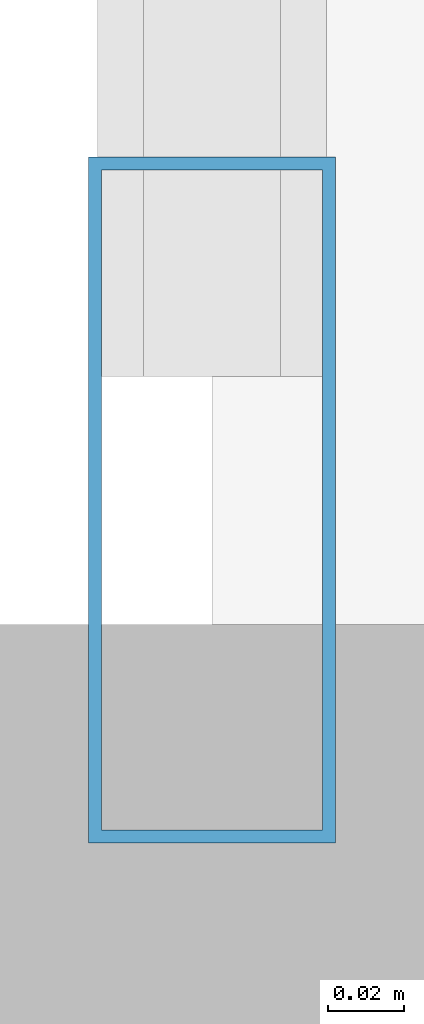
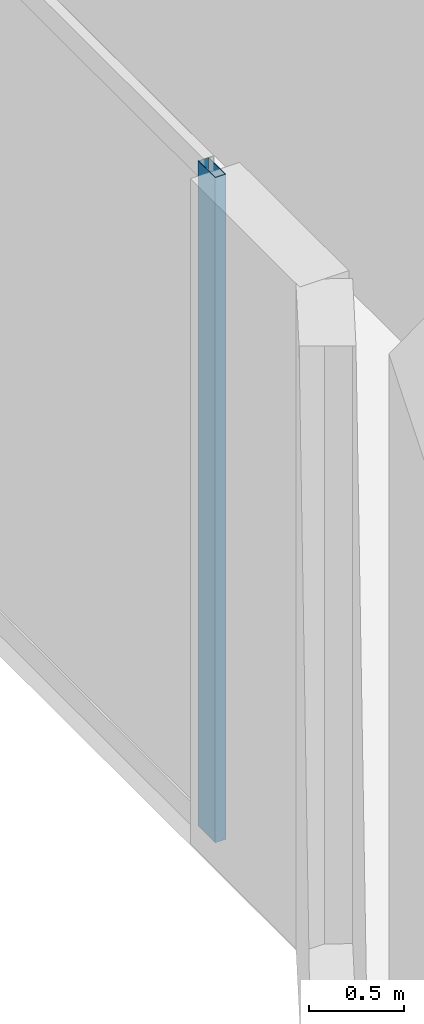
# One storey, part 10 of 33: 1 member, 1 element without a shape of its own.
"""IFC4 building model written with IfcOpenShell, lengths in metres."""

import ifcopenshell
import ifcopenshell.guid

model = None  # the IFC model being written
_history = None  # IfcOwnerHistory: only IFC2X3 demands one
_inside = {}  # id of a spatial element -> (the spatial element, [elements in it])
_under = {}  # id of a project, library or spatial element -> (it, [spatial elements below it])
_declared = {}  # id of a project -> (the project, [libraries it declares])
_typed = {}  # id of a type object -> (the type object, [elements of that type])
_made_of = {}  # id of a material, layer set ... -> (it, [elements and type objects made of it])


def new_model(schema):
    """Start an empty IFC model of exactly this schema.

    Asked for "IFC4X3", IfcOpenShell would pick the latest addendum, in which some entities
    have other attributes; the version numbers below select the first issue.
    IFC2X3 requires an IfcOwnerHistory on every rooted entity: one is made here for all.
    """
    global model, _history
    if schema == "IFC4X3":
        model = ifcopenshell.file(schema_version=(4, 3, 0, 0))
    else:
        model = ifcopenshell.file(schema=schema)
    _inside.clear()
    _under.clear()
    _declared.clear()
    _typed.clear()
    _made_of.clear()
    _history = None
    if model.schema == "IFC2X3":
        org = make("IfcOrganization", Name="unknown")
        user = make(
            "IfcPersonAndOrganization",
            ThePerson=make("IfcPerson", FamilyName="unknown"),
            TheOrganization=org,
        )
        app = make(
            "IfcApplication",
            ApplicationDeveloper=org,
            Version="unknown",
            ApplicationFullName="unknown",
            ApplicationIdentifier="unknown",
        )
        _history = make(
            "IfcOwnerHistory",
            OwningUser=user,
            OwningApplication=app,
            ChangeAction="ADDED",
            CreationDate=0,
        )
    return model


def make(cls, **values):
    """One entity of the class cls with the attributes given. An attribute that is None is left unset."""
    return model.create_entity(
        cls, **{name: value for name, value in values.items() if value is not None}
    )


def rooted(cls, **values):
    """An entity with a GlobalId (a new one), such as an element, a storey or a relation."""
    return make(cls, GlobalId=ifcopenshell.guid.new(), OwnerHistory=_history, **values)


def si_unit(unit_type, name, prefix=None):
    """IfcSIUnit, for example si_unit("LENGTHUNIT", "METRE", prefix="MILLI")."""
    return make("IfcSIUnit", UnitType=unit_type, Prefix=prefix, Name=name)


def assignment(units):
    """IfcUnitAssignment: the units of a project."""
    return None if units is None else make("IfcUnitAssignment", Units=units)


def point(xyz):
    """IfcCartesianPoint."""
    return None if xyz is None else make("IfcCartesianPoint", Coordinates=xyz)


def direction(xyz):
    """IfcDirection."""
    return None if xyz is None else make("IfcDirection", DirectionRatios=xyz)


def frame(location, z_axis=None, x_axis=None):
    """IfcAxis2Placement3D, a coordinate frame: its origin and axes. An axis left out is left unset."""
    return make(
        "IfcAxis2Placement3D",
        Location=point(location),
        Axis=direction(z_axis),
        RefDirection=direction(x_axis),
    )


def frame_2d(location, x_axis=None):
    """IfcAxis2Placement2D, a coordinate frame in the plane: its origin and x axis."""
    return make(
        "IfcAxis2Placement2D", Location=point(location), RefDirection=direction(x_axis)
    )


def origin():
    """The frame at (0, 0, 0) with its axes left unset."""
    return frame((0.0, 0.0, 0.0))


def origin_2d():
    """The frame at (0, 0) in the plane with its x axis left unset."""
    return frame_2d((0.0, 0.0))


def place(relative_to, where):
    """IfcLocalPlacement: puts the frame where relative to a parent placement (None: the world)."""
    return make(
        "IfcLocalPlacement", PlacementRelTo=relative_to, RelativePlacement=where
    )


def context(
    kind, dimensions, precision=None, world=None, true_north=None, identifier=None
):
    """IfcGeometricRepresentationContext, for example the 3D "Model" context."""
    return make(
        "IfcGeometricRepresentationContext",
        ContextIdentifier=identifier,
        ContextType=kind,
        CoordinateSpaceDimension=dimensions,
        Precision=precision,
        WorldCoordinateSystem=world,
        TrueNorth=true_north,
    )


def subcontext(parent, identifier, kind, view, scale=None):
    """IfcGeometricRepresentationSubContext, for example "Body" below "Model"."""
    return make(
        "IfcGeometricRepresentationSubContext",
        ContextIdentifier=identifier,
        ContextType=kind,
        ParentContext=parent,
        TargetScale=scale,
        TargetView=view,
    )


def project(units=None, contexts=None):
    """IfcProject with its units and contexts."""
    return rooted(
        "IfcProject",
        Name="project",
        RepresentationContexts=contexts,
        UnitsInContext=assignment(units),
    )


def spatial(cls, under=None, at=None, **own):
    """A site, building, storey or space (cls), placed at a placement, below another one or the project."""
    s = rooted(cls, ObjectPlacement=at, **own)
    if under is not None:
        _under.setdefault(under.id(), (under, []))[1].append(s)
    return s


def profile(cls, at=None, kind="AREA", **sizes):
    """A parametric profile (cls). Its sizes go by their IFC names, for example OverallWidth=200.0."""
    return make(cls, ProfileType=kind, Position=at, **sizes)


def hollow_rectangle(**sizes):
    """IfcRectangleHollowProfileDef."""
    return profile("IfcRectangleHollowProfileDef", **sizes)


def extrude(swept, where, along, depth):
    """IfcExtrudedAreaSolid: the profile swept, set in the frame where, extruded along a direction by depth."""
    return make(
        "IfcExtrudedAreaSolid",
        SweptArea=swept,
        Position=where,
        ExtrudedDirection=direction(along),
        Depth=depth,
    )


def shape(context_of_items, identifier, shape_type, items):
    """IfcShapeRepresentation: the items that make up one representation, for example the "Body"."""
    return make(
        "IfcShapeRepresentation",
        ContextOfItems=context_of_items,
        RepresentationIdentifier=identifier,
        RepresentationType=shape_type,
        Items=items,
    )


def material(Name=None, Category=None):
    """IfcMaterial."""
    return make("IfcMaterial", Name=Name, Category=Category)


def layer(
    of_material, thickness, ventilated=None, Name=None, Category=None, Priority=None
):
    """IfcMaterialLayer: one layer of a wall or slab, of a material (None: an air gap)."""
    return make(
        "IfcMaterialLayer",
        Material=of_material,
        LayerThickness=thickness,
        IsVentilated=ventilated,
        Name=Name,
        Category=Category,
        Priority=Priority,
    )


def layer_set(layers, Name=None):
    """IfcMaterialLayerSet."""
    return make("IfcMaterialLayerSet", MaterialLayers=layers, LayerSetName=Name)


def material_profile(
    of_material, cross_section, Name=None, Category=None, Priority=None
):
    """IfcMaterialProfile: a cross section and its material."""
    return make(
        "IfcMaterialProfile",
        Name=Name,
        Material=of_material,
        Profile=cross_section,
        Priority=Priority,
        Category=Category,
    )


def profile_set(profiles, Name=None, composite=None):
    """IfcMaterialProfileSet."""
    return make(
        "IfcMaterialProfileSet",
        Name=Name,
        MaterialProfiles=profiles,
        CompositeProfile=composite,
    )


def made_of(thing, what):
    """Note that an element or type object is made of a material, layer set ...; save() writes the relation."""
    if what is not None:
        _made_of.setdefault(what.id(), (what, []))[1].append(thing)
    return thing


def type_object(cls, material=None, **own):
    """A type object (cls), such as IfcWallType, which elements share."""
    return made_of(rooted(cls, **own), material)


def element(
    cls,
    number,
    at=None,
    inside=None,
    cuts=None,
    type_object=None,
    material=None,
    context=None,
    identifier="Body",
    shape_type=None,
    held_by="IfcProductDefinitionShape",
    body=None,
    shapes=None,
    **own,
):
    """One element of the class cls, such as IfcWall. Its Tag is "e" and its number.

    at: its placement. inside: the storey or other place that contains it. cuts: it is an
    opening in that element (IfcRelVoidsElement). A single representation is given by context,
    identifier, shape_type and body (its items); several are given by shapes. held_by: the class
    of the entity that holds the representations. save() writes the other relations.
    """
    e = rooted(cls, Tag="e%d" % number, ObjectPlacement=at, **own)
    if body is not None:
        shapes = [shape(context, identifier, shape_type, body)]
    if shapes is not None:
        e.Representation = make(held_by, Representations=shapes)
    if inside is not None:
        _inside.setdefault(inside.id(), (inside, []))[1].append(e)
    if cuts is not None:
        rooted(
            "IfcRelVoidsElement", RelatingBuildingElement=cuts, RelatedOpeningElement=e
        )
    if type_object is not None:
        _typed.setdefault(type_object.id(), (type_object, []))[1].append(e)
    return made_of(e, material)


def aggregate(whole, parts):
    """IfcRelAggregates: a whole, such as a stair, and the parts it consists of."""
    return rooted("IfcRelAggregates", RelatingObject=whole, RelatedObjects=parts)


def save(model, path):
    """Write the relations noted so far, then the file.

    IfcRelAggregates (storeys below a building ...), IfcRelContainedInSpatialStructure (elements
    in a storey), IfcRelDefinesByType, IfcRelAssociatesMaterial and IfcRelDeclares: one each for
    every whole, place, type object, material and project.
    """
    for whole, parts in _under.values():
        aggregate(whole, parts)
    for where, things in _inside.values():
        rooted(
            "IfcRelContainedInSpatialStructure",
            RelatedElements=things,
            RelatingStructure=where,
        )
    for kind, things in _typed.values():
        rooted("IfcRelDefinesByType", RelatedObjects=things, RelatingType=kind)
    for what, things in _made_of.values():
        rooted("IfcRelAssociatesMaterial", RelatedObjects=things, RelatingMaterial=what)
    for by, libraries in _declared.values():
        rooted("IfcRelDeclares", RelatingContext=by, RelatedDefinitions=libraries)
    model.write(path)


model = new_model("IFC4")

# Units and contexts
model_context = context("Model", 3, precision=1e-05, world=origin(), true_north=direction((0.0, 1.0)))
body_context = subcontext(model_context, "Body", "Model", "MODEL_VIEW")
ifc_project = project(units=[si_unit("LENGTHUNIT", "METRE"), si_unit("AREAUNIT", "SQUARE_METRE"), si_unit("VOLUMEUNIT", "CUBIC_METRE"), si_unit("PLANEANGLEUNIT", "RADIAN"), si_unit("MASSUNIT", "GRAM", prefix="KILO")], contexts=[model_context])

# Site, building, storey
site_placement = place(None, origin())
site = spatial("IfcSite", under=ifc_project, at=site_placement, CompositionType="ELEMENT")
building_placement = place(site_placement, origin())
building = spatial("IfcBuilding", under=site, at=building_placement, Name="Zuhayl Quay Hotel", CompositionType="ELEMENT")
storey_placement = place(building_placement, frame((0.0, 0.0, 154.050048828125)))
storey = spatial("IfcBuildingStorey", under=building, at=storey_placement, Name="L39", CompositionType="ELEMENT", Elevation=154.050048828125)

# Curtain wall, member
ifc_material_1 = material(Name="Anodised Aluminium 6063-T6", Category="aluminium")
ifc_layer = layer(ifc_material_1, 0.179931640625, Name="Anodised Aluminium 6063-T6", Category="aluminium")
ifc_layer_set = layer_set([ifc_layer], Name="Anodised Aluminium 6063-T6")
curtain_wall_type = type_object("IfcCurtainWallType", Name="CW_SYS_Z2", PredefinedType="USERDEFINED", material=ifc_layer_set)
curtain_wall_placement = place(storey_placement, origin())
curtain_wall = element("IfcCurtainWall", 1, at=curtain_wall_placement, inside=storey, type_object=curtain_wall_type, Name="L39 Curtain Wall ENV_L39_E05_CW1", ObjectType="UNITISED CURTAIN WALL", PredefinedType="USERDEFINED")
ifc_material_2 = material(Name="Black-anodised aluminium 6063-T6", Category="aluminium")
ifc_material_profile = material_profile(ifc_material_2, hollow_rectangle(XDim=0.06494140625, YDim=0.179931640625, WallThickness=0.00341796875, at=origin_2d()), Name="ALU180X65")
ifc_profile_set = profile_set([ifc_material_profile], Name="Black-anodised aluminium 6063-T6")
member_type = type_object("IfcMemberType", Name="MB_CW_MUL_180", PredefinedType="MULLION", material=ifc_profile_set)
member_placement = place(storey_placement, frame((-23.89990234375, 12.6826171875, 0.0), z_axis=(0.0, 0.0, 1.0), x_axis=(-1.0, 0.0, 0.0)))
member = element("IfcMember", 2, at=member_placement, type_object=member_type, Name="CW-Z2 mullion 1", PredefinedType="MULLION", context=body_context, shape_type="SweptSolid", body=[
    extrude(hollow_rectangle(XDim=0.06494140625, YDim=0.179931640625, WallThickness=0.00341796875, at=origin_2d()), origin(), (0.0, 0.0, 1.0), 4.280029296875),
])
aggregate(curtain_wall, [member])

save(model, "model.ifc")
